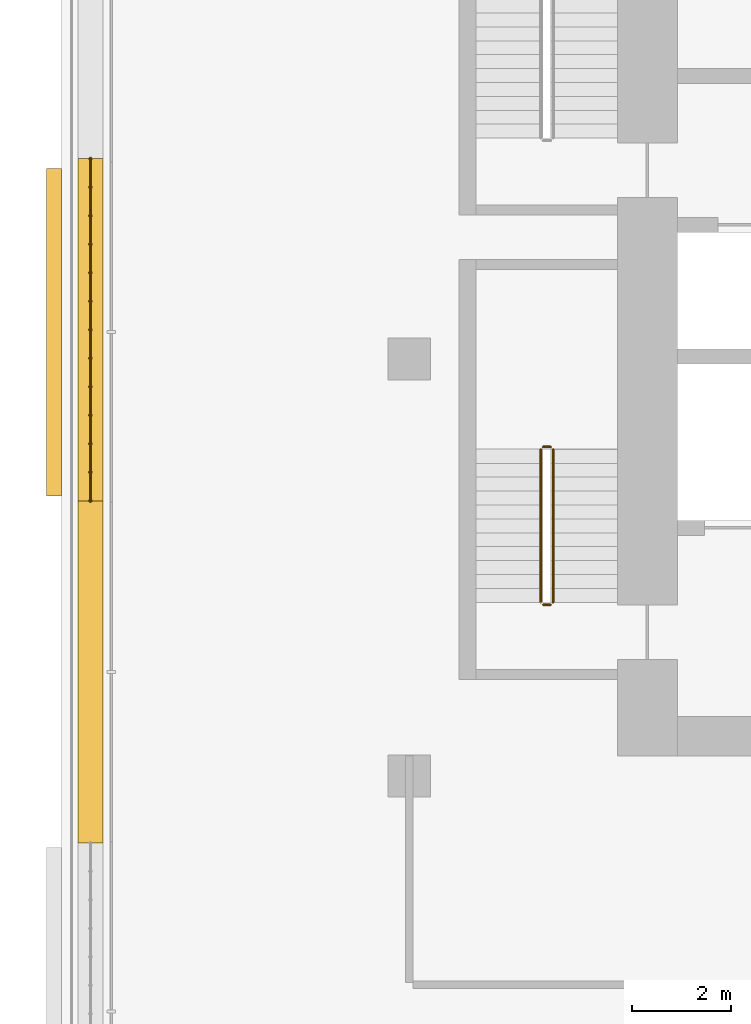
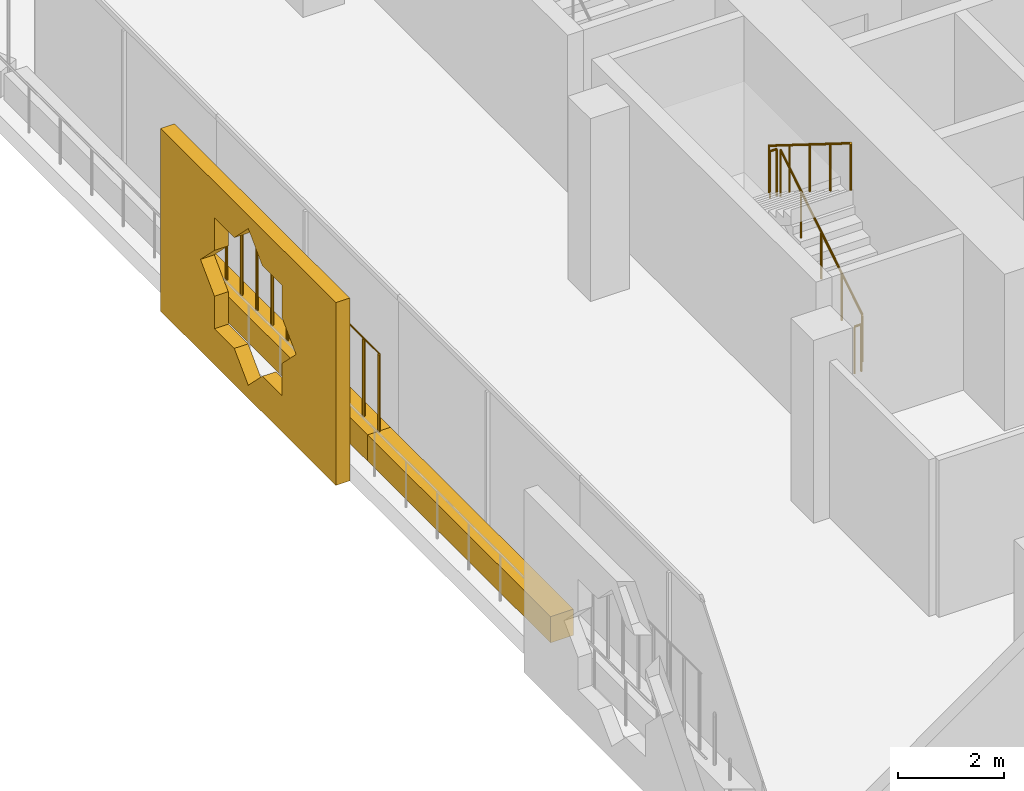
# One storey, part 16 of 21: 5 railings, 3 coverings.
"""IFC4 building model written with IfcOpenShell, lengths in metres."""

from ifc_helpers import new_model, si_unit, direction, frame, origin, origin_2d, place, context, subcontext, project, spatial, polyline, rectangle, circle, outline, extrude, material, material_profile, profile_set, type_object, element, save


model = new_model("IFC4")

# Units and contexts
model_context = context("Model", 3, precision=1e-05, world=origin(), true_north=direction((0.0, 1.0)))
body_context = subcontext(model_context, "Body", "Model", "MODEL_VIEW")
ifc_project = project(units=[si_unit("LENGTHUNIT", "METRE"), si_unit("AREAUNIT", "SQUARE_METRE"), si_unit("VOLUMEUNIT", "CUBIC_METRE"), si_unit("PLANEANGLEUNIT", "RADIAN"), si_unit("MASSUNIT", "GRAM", prefix="KILO")], contexts=[model_context])

# Site, building, storey
site_placement = place(None, origin())
site = spatial("IfcSite", under=ifc_project, at=site_placement, CompositionType="ELEMENT")
building_placement = place(site_placement, origin())
building = spatial("IfcBuilding", under=site, at=building_placement, Name="Kawkab Arch Medical Tower", CompositionType="ELEMENT")
storey_placement = place(building_placement, frame((0.0, 0.0, 234.800048828125)))
storey = spatial("IfcBuildingStorey", under=building, at=storey_placement, Name="L54", CompositionType="ELEMENT", Elevation=234.800048828125)

# Coverings
ifc_material_1 = material(Name="Bronze anodised aluminium mashrabiya panel, eight-point star pattern", Category="aluminium")
ifc_material_profile_1 = material_profile(ifc_material_1, outline(polyline([(-3.300048828125, -2.10009765625), (3.300048828125, -2.10009765625), (3.300048828125, 2.10009765625), (-3.300048828125, 2.10009765625), (-3.300048828125, -2.10009765625)]), holes=[polyline([(1.800048828125, 0.0), (1.272705078125, 0.527099609375), (1.272705078125, 1.272705078125), (0.527099609375, 1.272705078125), (0.0, 1.800048828125), (-0.527099609375, 1.272705078125), (-1.272705078125, 1.272705078125), (-1.272705078125, 0.527099609375), (-1.800048828125, 0.0), (-1.272705078125, -0.527099609375), (-1.272705078125, -1.272705078125), (-0.527099609375, -1.272705078125), (0.0, -1.800048828125), (0.527099609375, -1.272705078125), (1.272705078125, -1.272705078125), (1.272705078125, -0.527099609375), (1.800048828125, 0.0)])]), Name="Mashrabiya panel 6600x4200")
ifc_profile_set_1 = profile_set([ifc_material_profile_1], Name="Bronze anodised aluminium mashrabiya panel, eight-point star pattern")
covering_type_1 = type_object("IfcCoveringType", Name="Mashrabiya panel 6600 x 4200", PredefinedType="USERDEFINED", material=ifc_profile_set_1)
covering_1_placement = place(storey_placement, frame((-7.0, -16.259033203125, 1.699951171875), z_axis=(-1.0, 0.0, 0.0), x_axis=(0.0, -1.0, 0.0)))
element("IfcCovering", 1, at=covering_1_placement, inside=storey, type_object=covering_type_1, Name="Mashrabiya panel L54.LOG-01-01.4", ObjectType="SCREEN", PredefinedType="USERDEFINED", context=body_context, shape_type="SweptSolid", body=[
    extrude(outline(polyline([(-3.300048828125, -2.10009765625), (3.300048828125, -2.10009765625), (3.300048828125, 2.10009765625), (-3.300048828125, 2.10009765625), (-3.300048828125, -2.10009765625)]), holes=[polyline([(1.800048828125, 0.0), (1.272705078125, 0.527099609375), (1.272705078125, 1.272705078125), (0.527099609375, 1.272705078125), (0.0, 1.800048828125), (-0.527099609375, 1.272705078125), (-1.272705078125, 1.272705078125), (-1.272705078125, 0.527099609375), (-1.800048828125, 0.0), (-1.272705078125, -0.527099609375), (-1.272705078125, -1.272705078125), (-0.527099609375, -1.272705078125), (0.0, -1.800048828125), (0.527099609375, -1.272705078125), (1.272705078125, -1.272705078125), (1.272705078125, -0.527099609375), (1.800048828125, 0.0)])]), origin(), (0.0, 0.0, 1.0), 0.300048828125),
])
ifc_material_2 = material(Name="Planting soil in a precast trough", Category="concrete")
ifc_material_profile_2 = material_profile(ifc_material_2, rectangle(XDim=0.5, YDim=0.60009765625, at=origin_2d()), Name="Trough 500x600")
ifc_profile_set_2 = profile_set([ifc_material_profile_2], Name="Planting soil in a precast trough")
covering_type_2 = type_object("IfcCoveringType", Name="Planter trough 500 x 600", PredefinedType="USERDEFINED", material=ifc_profile_set_2)
covering_2_placement = place(storey_placement, frame((-6.419921875, -26.544921875, 0.300048828125), z_axis=(0.0, 1.0, 0.0), x_axis=(-1.0, 0.0, 0.0)))
element("IfcCovering", 2, at=covering_2_placement, inside=storey, type_object=covering_type_2, Name="Planter L54.LOG-01-01.10", ObjectType="PLANTER", PredefinedType="USERDEFINED", context=body_context, shape_type="SweptSolid", body=[
    extrude(rectangle(XDim=0.5, YDim=0.60009765625, at=origin_2d()), origin(), (0.0, 0.0, 1.0), 6.889892578125),
])
covering_3_placement = place(storey_placement, frame((-6.419921875, -19.655029296875, 0.300048828125), z_axis=(0.0, 1.0, 0.0), x_axis=(-1.0, 0.0, 0.0)))
element("IfcCovering", 3, at=covering_3_placement, inside=storey, type_object=covering_type_2, Name="Planter L54.LOG-01-01.11", ObjectType="PLANTER", PredefinedType="USERDEFINED", context=body_context, shape_type="SweptSolid", body=[
    extrude(rectangle(XDim=0.5, YDim=0.60009765625, at=origin_2d()), origin(), (0.0, 0.0, 1.0), 6.89111328125),
])

# Railings
ifc_material_3 = material(Name="Bronze anodised aluminium trellis for climbing plants", Category="aluminium")
railing_type_1 = type_object("IfcRailingType", Name="Planting trellis 2400", PredefinedType="USERDEFINED", material=ifc_material_3)
railing_1_placement = place(storey_placement, frame((-6.419921875, -19.655029296875, 0.0)))
element("IfcRailing", 4, at=railing_1_placement, inside=storey, type_object=railing_type_1, Name="Planting trellis L54.LOG-01-01.11", ObjectType="TRELLIS", PredefinedType="USERDEFINED", context=body_context, shape_type="SweptSolid", body=[
    extrude(circle(Radius=0.01513671875, at=origin_2d()), frame((0.0, 0.0, 2.384765625), z_axis=(0.0, 1.0, 0.0), x_axis=(-1.0, 0.0, 0.0)), (0.0, 0.0, 1.0), 6.89111328125),
    extrude(circle(Radius=0.030029296875, at=origin_2d()), origin(), (0.0, 0.0, 1.0), 2.369873046875),
    extrude(circle(Radius=0.030029296875, at=origin_2d()), frame((0.0, 0.57421875, 0.0)), (0.0, 0.0, 1.0), 2.369873046875),
    extrude(circle(Radius=0.030029296875, at=origin_2d()), frame((0.0, 1.1484375, 0.0)), (0.0, 0.0, 1.0), 2.369873046875),
    extrude(circle(Radius=0.030029296875, at=origin_2d()), frame((0.0, 1.72265625, 0.0)), (0.0, 0.0, 1.0), 2.369873046875),
    extrude(circle(Radius=0.030029296875, at=origin_2d()), frame((0.0, 2.297119140625, 0.0)), (0.0, 0.0, 1.0), 2.369873046875),
    extrude(circle(Radius=0.030029296875, at=origin_2d()), frame((0.0, 2.871337890625, 0.0)), (0.0, 0.0, 1.0), 2.369873046875),
    extrude(circle(Radius=0.030029296875, at=origin_2d()), frame((0.0, 3.445556640625, 0.0)), (0.0, 0.0, 1.0), 2.369873046875),
    extrude(circle(Radius=0.030029296875, at=origin_2d()), frame((0.0, 4.019775390625, 0.0)), (0.0, 0.0, 1.0), 2.369873046875),
    extrude(circle(Radius=0.030029296875, at=origin_2d()), frame((0.0, 4.593994140625, 0.0)), (0.0, 0.0, 1.0), 2.369873046875),
    extrude(circle(Radius=0.030029296875, at=origin_2d()), frame((0.0, 5.16845703125, 0.0)), (0.0, 0.0, 1.0), 2.369873046875),
    extrude(circle(Radius=0.030029296875, at=origin_2d()), frame((0.0, 5.74267578125, 0.0)), (0.0, 0.0, 1.0), 2.369873046875),
    extrude(circle(Radius=0.030029296875, at=origin_2d()), frame((0.0, 6.31689453125, 0.0)), (0.0, 0.0, 1.0), 2.369873046875),
    extrude(circle(Radius=0.030029296875, at=origin_2d()), frame((0.0, 6.89111328125, 0.0)), (0.0, 0.0, 1.0), 2.369873046875),
])
ifc_material_4 = material(Name="Stainless steel", Category="steel")
railing_type_2 = type_object("IfcRailingType", Name="Stair guard 1100", PredefinedType="GUARDRAIL", material=ifc_material_4)
railing_2_placement = place(storey_placement, frame((2.89990234375, -21.699951171875, 0.175048828125)))
element("IfcRailing", 5, at=railing_2_placement, inside=storey, type_object=railing_type_2, Name="L54 ST2 stair guard 1", PredefinedType="GUARDRAIL", context=body_context, shape_type="SweptSolid", body=[
    extrude(circle(Radius=0.02392578125, at=origin_2d()), frame((0.0, 0.0, 1.076171875), z_axis=(0.0, 0.848009633417, 0.529980812513), x_axis=(-1.0, 0.0, 0.0)), (0.0, 0.0, 1.0), 3.6318359375),
    extrude(circle(Radius=0.02099609375, at=origin_2d()), origin(), (0.0, 0.0, 1.0), 1.052001953125),
    extrude(circle(Radius=0.02099609375, at=origin_2d()), frame((0.0, 0.77001953125, 0.481201171875)), (0.0, 0.0, 1.0), 1.052001953125),
    extrude(circle(Radius=0.02099609375, at=origin_2d()), frame((0.0, 1.5400390625, 0.96240234375)), (0.0, 0.0, 1.0), 1.052001953125),
    extrude(circle(Radius=0.02099609375, at=origin_2d()), frame((0.0, 2.309814453125, 1.443603515625)), (0.0, 0.0, 1.0), 1.052001953125),
    extrude(circle(Radius=0.02099609375, at=origin_2d()), frame((0.0, 3.079833984375, 1.9248046875)), (0.0, 0.0, 1.0), 1.052001953125),
])
railing_3_placement = place(storey_placement, frame((2.85009765625, -18.570068359375, 2.099853515625)))
element("IfcRailing", 6, at=railing_3_placement, inside=storey, type_object=railing_type_2, Name="L54 ST2 stair guard 2", PredefinedType="GUARDRAIL", context=body_context, shape_type="SweptSolid", body=[
    extrude(circle(Radius=0.02392578125, at=origin_2d()), frame((0.0, 0.0, 1.076171875), z_axis=(-1.0, 0.0, 0.0), x_axis=(0.0, -1.0, 0.0)), (0.0, 0.0, 1.0), 0.150146484375),
    extrude(circle(Radius=0.02099609375, at=origin_2d()), origin(), (0.0, 0.0, 1.0), 1.052001953125),
    extrude(circle(Radius=0.02099609375, at=origin_2d()), frame((-0.150146484375, 0.0, 0.0)), (0.0, 0.0, 1.0), 1.052001953125),
])
railing_4_placement = place(storey_placement, frame((2.64990234375, -18.6201171875, 2.27490234375)))
element("IfcRailing", 7, at=railing_4_placement, inside=storey, type_object=railing_type_2, Name="L54 ST2 stair guard 3", PredefinedType="GUARDRAIL", context=body_context, shape_type="SweptSolid", body=[
    extrude(circle(Radius=0.02392578125, at=origin_2d()), frame((0.0, 0.0, 1.076171875), z_axis=(0.0, -0.847979421464, 0.530029150871), x_axis=(1.0, 0.0, 0.0)), (0.0, 0.0, 1.0), 3.632080078125),
    extrude(circle(Radius=0.02099609375, at=origin_2d()), origin(), (0.0, 0.0, 1.0), 1.052001953125),
    extrude(circle(Radius=0.02099609375, at=origin_2d()), frame((0.0, -0.77001953125, 0.481201171875)), (0.0, 0.0, 1.0), 1.052001953125),
    extrude(circle(Radius=0.02099609375, at=origin_2d()), frame((0.0, -1.5400390625, 0.96240234375)), (0.0, 0.0, 1.0), 1.052001953125),
    extrude(circle(Radius=0.02099609375, at=origin_2d()), frame((0.0, -2.309814453125, 1.44384765625)), (0.0, 0.0, 1.0), 1.052001953125),
    extrude(circle(Radius=0.02099609375, at=origin_2d()), frame((0.0, -3.079833984375, 1.925048828125)), (0.0, 0.0, 1.0), 1.052001953125),
])
railing_5_placement = place(storey_placement, frame((2.85009765625, -21.75, 0.0)))
element("IfcRailing", 8, at=railing_5_placement, inside=storey, type_object=railing_type_2, Name="L54 ST2 stair guard 4", PredefinedType="GUARDRAIL", context=body_context, shape_type="SweptSolid", body=[
    extrude(circle(Radius=0.02392578125, at=origin_2d()), frame((0.0, 0.0, 1.076171875), z_axis=(-1.0, 0.0, 0.0), x_axis=(0.0, -1.0, 0.0)), (0.0, 0.0, 1.0), 0.150146484375),
    extrude(circle(Radius=0.02099609375, at=origin_2d()), origin(), (0.0, 0.0, 1.0), 1.052001953125),
    extrude(circle(Radius=0.02099609375, at=origin_2d()), frame((-0.150146484375, 0.0, 0.0)), (0.0, 0.0, 1.0), 1.052001953125),
])

save(model, "model.ifc")
